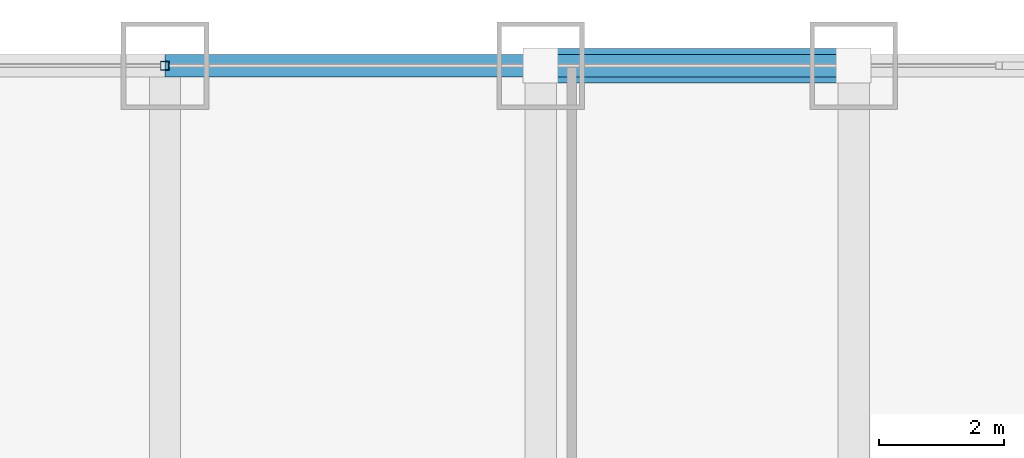
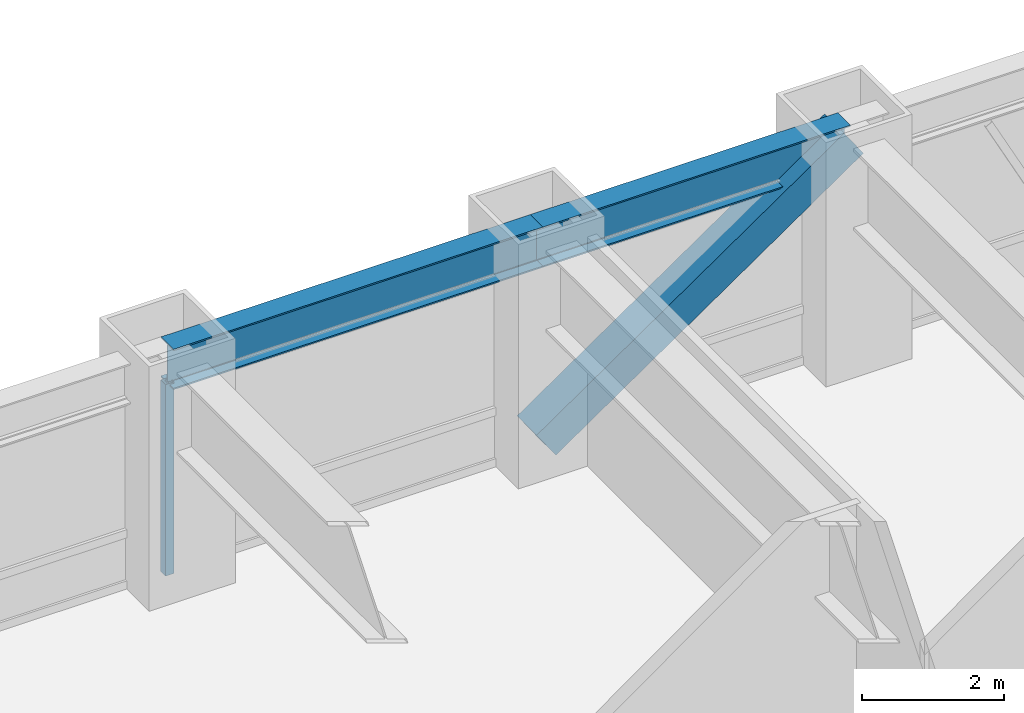
# One storey, part 19 of 29: 2 beams, 2 members, 1 element without a shape of its own.
"""IFC4 building model written with IfcOpenShell, lengths in metres."""

from ifc_helpers import new_model, si_unit, direction, frame, origin, origin_2d, place, context, subcontext, project, spatial, hollow_rectangle, i_section, extrude, source, transform, mapped, material, material_profile, profile_set, type_object, element, aggregate, save


model = new_model("IFC4")

# Units and contexts
model_context = context("Model", 3, precision=1e-05, world=origin(), true_north=direction((0.0, 1.0)))
body_context = subcontext(model_context, "Body", "Model", "MODEL_VIEW")
ifc_project = project(units=[si_unit("LENGTHUNIT", "METRE"), si_unit("AREAUNIT", "SQUARE_METRE"), si_unit("VOLUMEUNIT", "CUBIC_METRE"), si_unit("PLANEANGLEUNIT", "RADIAN"), si_unit("MASSUNIT", "GRAM", prefix="KILO")], contexts=[model_context])

# Site, building, storey
site_placement = place(None, origin())
site = spatial("IfcSite", under=ifc_project, at=site_placement, CompositionType="ELEMENT")
building_placement = place(site_placement, origin())
building = spatial("IfcBuilding", under=site, at=building_placement, Name="Khorayat Bourse Tower", CompositionType="ELEMENT")
storey_placement = place(building_placement, frame((0.0, 0.0, 87.199951171875)))
storey = spatial("IfcBuildingStorey", under=building, at=storey_placement, Name="L19", CompositionType="ELEMENT", Elevation=87.199951171875)

# Beams
ifc_material_1 = material(Name="Steel ASTM A992 Grade 50", Category="steel")
ifc_material_profile_1 = material_profile(ifc_material_1, i_section(OverallWidth=0.35498046875, OverallDepth=0.695068359375, WebThickness=0.015380859375, FlangeThickness=0.02490234375, FilletRadius=0.01806640625, at=origin_2d()), Name="W690X217")
ifc_profile_set_1 = profile_set([ifc_material_profile_1], Name="Steel ASTM A992 Grade 50")
beam_type = type_object("IfcBeamType", Name="BM-SPAN-690", PredefinedType="SPANDREL", material=ifc_profile_set_1)
shared_shape_1 = source(origin(), body_context, "Body", "SweptSolid", [
    extrude(i_section(OverallWidth=0.35498046875, OverallDepth=0.695068359375, WebThickness=0.015380859375, FlangeThickness=0.02490234375, FilletRadius=0.01806640625, at=origin_2d()), origin(), (0.0, 0.0, 1.0), 5.0),
])
beam_1_placement = place(storey_placement, frame((6.0, 32.0, 3.592529296875), z_axis=(1.0, 0.0, 0.0), x_axis=(0.0, 1.0, 0.0)))
element("IfcBeam", 1, at=beam_1_placement, inside=storey, type_object=beam_type, Name="L19 BM-SPAN-690 BM-L19-SPN-046", PredefinedType="SPANDREL", context=body_context, shape_type="MappedRepresentation", body=[
    mapped(shared_shape_1, transform((0.0, 0.0, 0.0), scale=1.0)),
])
shared_shape_2 = source(origin(), body_context, "Body", "SweptSolid", [
    extrude(i_section(OverallWidth=0.35498046875, OverallDepth=0.695068359375, WebThickness=0.015380859375, FlangeThickness=0.02490234375, FilletRadius=0.01806640625, at=origin_2d()), origin(), (0.0, 0.0, 1.0), 6.0),
])
beam_2_placement = place(storey_placement, frame((0.0, 32.0, 3.592529296875), z_axis=(1.0, 0.0, 0.0), x_axis=(0.0, 1.0, 0.0)))
element("IfcBeam", 2, at=beam_2_placement, inside=storey, type_object=beam_type, Name="L19 BM-SPAN-690 BM-L19-SPN-047", PredefinedType="SPANDREL", context=body_context, shape_type="MappedRepresentation", body=[
    mapped(shared_shape_2, transform((0.0, 0.0, 0.0), scale=1.0)),
])

# Member
ifc_material_2 = material(Name="Steel EN 10025-4 S460M", Category="steel")
ifc_material_profile_2 = material_profile(ifc_material_2, hollow_rectangle(XDim=0.550048828125, YDim=0.550048828125, WallThickness=0.031982421875, at=origin_2d()), Name="HSS 550x550x32")
ifc_profile_set_2 = profile_set([ifc_material_profile_2], Name="Steel EN 10025-4 S460M")
member_type_1 = type_object("IfcMemberType", Name="MBR-TUBE-550", PredefinedType="BRACE", material=ifc_profile_set_2)
shared_shape_3 = source(origin(), body_context, "Body", "SweptSolid", [
    extrude(hollow_rectangle(XDim=0.550048828125, YDim=0.550048828125, WallThickness=0.031982421875, at=origin_2d()), origin(), (0.0, 0.0, 1.0), 6.069091796875),
])
member_1_placement = place(storey_placement, frame((6.0, 32.0, 0.25), z_axis=(0.823854080622, 0.0, 0.566801952928), x_axis=(0.0, 1.0, 0.0)))
element("IfcMember", 3, at=member_1_placement, inside=storey, type_object=member_type_1, Name="L19 Perimeter Tube Brace 04", PredefinedType="BRACE", context=body_context, shape_type="MappedRepresentation", body=[
    mapped(shared_shape_3, transform((0.0, 0.0, 0.0), scale=1.0)),
])

# Curtain wall, member
ifc_material_3 = material(Name="Aluminium EN AW-6063 T6", Category="aluminium")
curtain_wall_type = type_object("IfcCurtainWallType", Name="CW-SYS-02", PredefinedType="NOTDEFINED", material=ifc_material_3)
curtain_wall_placement = place(storey_placement, origin())
curtain_wall = element("IfcCurtainWall", 4, at=curtain_wall_placement, inside=storey, type_object=curtain_wall_type, Name="L19 Curtain Wall CW-L19-N1", PredefinedType="NOTDEFINED")
ifc_material_profile_3 = material_profile(ifc_material_3, hollow_rectangle(XDim=0.139892578125, YDim=0.139892578125, WallThickness=0.006103515625, at=origin_2d()), Name="ALU 140x140x6")
ifc_profile_set_3 = profile_set([ifc_material_profile_3], Name="Aluminium EN AW-6063 T6")
member_type_2 = type_object("IfcMemberType", Name="CWM-VERT-140", PredefinedType="MULLION", material=ifc_profile_set_3)
shared_shape_4 = source(origin(), body_context, "Body", "SweptSolid", [
    extrude(hollow_rectangle(XDim=0.139892578125, YDim=0.139892578125, WallThickness=0.006103515625, at=origin_2d()), origin(), (0.0, 0.0, 1.0), 3.2900390625),
])
member_2_placement = place(storey_placement, frame((0.0, 32.0, 0.0), z_axis=(0.0, 0.0, 1.0), x_axis=(0.0, 1.0, 0.0)))
member_2 = element("IfcMember", 5, at=member_2_placement, type_object=member_type_2, Name="CW-L19-N1 Vertical Mullion 2", PredefinedType="MULLION", context=body_context, shape_type="MappedRepresentation", body=[
    mapped(shared_shape_4, transform((0.0, 0.0, 0.0), scale=1.0)),
])
aggregate(curtain_wall, [member_2])

save(model, "model.ifc")
